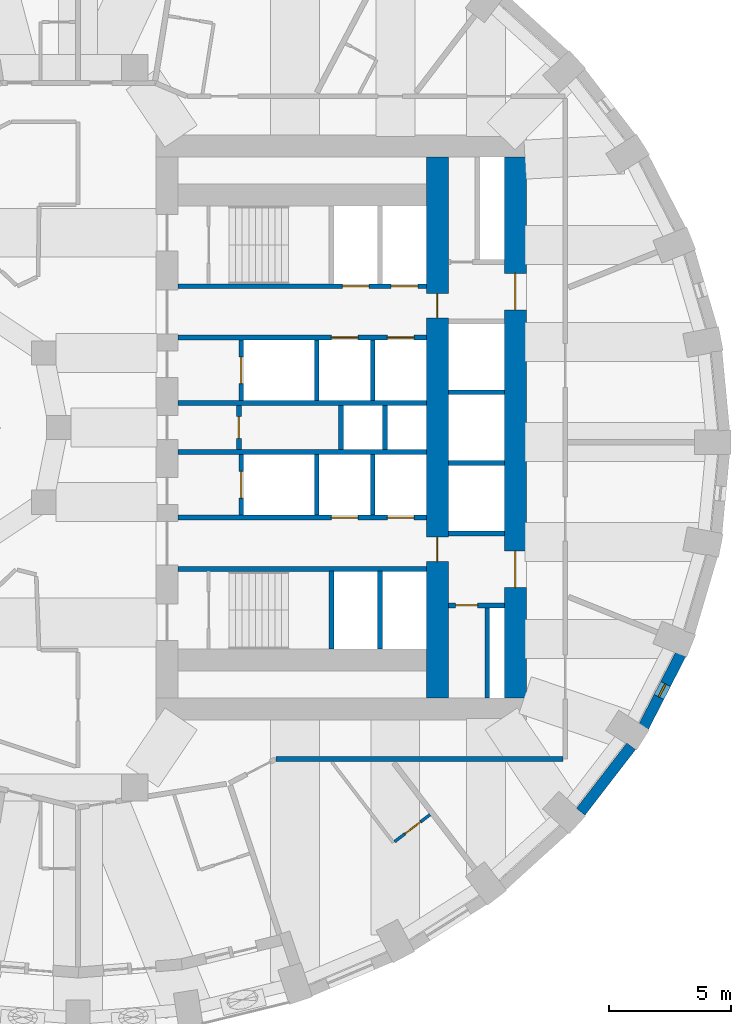
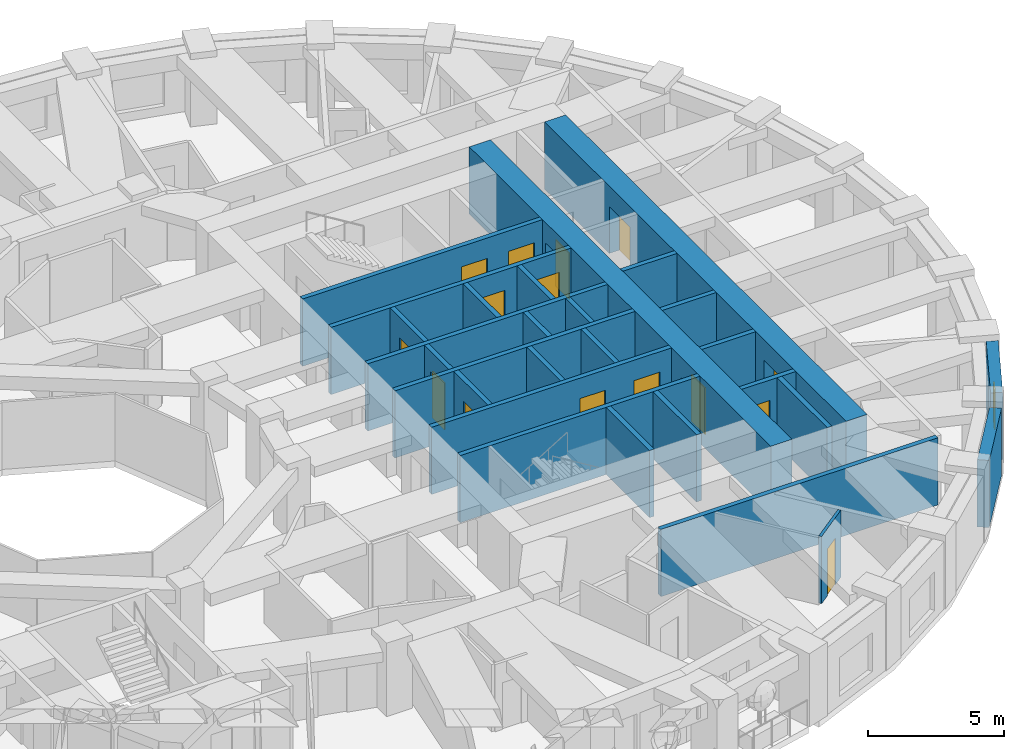
# One storey, part 6 of 13: 28 walls, 15 doors, 1 window, 16 openings.
"""IFC4 building model written with IfcOpenShell, lengths in metres."""

from ifc_helpers import new_model, si_unit, direction, frame, frame_2d, origin, place, context, subcontext, project, spatial, rectangle, extrude, material, layer, layer_set, type_object, element, fill, save


model = new_model("IFC4")

# Units and contexts
model_context = context("Model", 3, precision=1e-05, world=origin(), true_north=direction((0.0, 1.0)))
body_context = subcontext(model_context, "Body", "Model", "MODEL_VIEW")
ifc_project = project(units=[si_unit("LENGTHUNIT", "METRE"), si_unit("AREAUNIT", "SQUARE_METRE"), si_unit("VOLUMEUNIT", "CUBIC_METRE"), si_unit("PLANEANGLEUNIT", "RADIAN"), si_unit("MASSUNIT", "GRAM", prefix="KILO")], contexts=[model_context])

# Site, building, storey
site_placement = place(None, origin())
site = spatial("IfcSite", under=ifc_project, at=site_placement, CompositionType="ELEMENT")
building_placement = place(site_placement, origin())
building = spatial("IfcBuilding", under=site, at=building_placement, Name="Taillehof Tower", CompositionType="ELEMENT")
storey_placement = place(building_placement, frame((0.0, 0.0, 115.300048828125)))
storey = spatial("IfcBuildingStorey", under=building, at=storey_placement, Name="L32", CompositionType="ELEMENT", Elevation=115.300048828125)

# Wall
ifc_material_1 = material(Name="Brick masonry", Category="masonry")
ifc_layer_1 = layer(ifc_material_1, 0.449951171875)
ifc_layer_set_1 = layer_set([ifc_layer_1], Name="Brick infill wall 450")
wall_type_1 = type_object("IfcWallType", Name="Brick infill wall 450", PredefinedType="SOLIDWALL", material=ifc_layer_set_1)
wall_1_placement = place(storey_placement, frame((21.43505859375, -15.775390625, 0.0), z_axis=(0.0, 0.0, 1.0), x_axis=(0.610693945156, 0.791866721961, 0.0)))
element("IfcWall", 1, at=wall_1_placement, inside=storey, type_object=wall_type_1, Name="Brick wall L32 bay 33", PredefinedType="SOLIDWALL", context=body_context, shape_type="SweptSolid", body=[
    extrude(rectangle(XDim=3.39453125, YDim=0.449951171875, at=frame_2d((1.697265625, 0.0))), origin(), (0.0, 0.0, 1.0), 3.02001953125),
])

# Wall, opening, window
wall_2_placement = place(storey_placement, frame((24.022705078125, -12.27685546875, 0.0), z_axis=(0.0, 0.0, 1.0), x_axis=(0.456828186229, 0.889554949549, 0.0)))
wall_2 = element("IfcWall", 2, at=wall_2_placement, inside=storey, type_object=wall_type_1, Name="Brick wall L32 bay 34", PredefinedType="SOLIDWALL", context=body_context, shape_type="SweptSolid", body=[
    extrude(rectangle(XDim=3.332763671875, YDim=0.449951171875, at=frame_2d((1.66650390625, 0.0))), origin(), (0.0, 0.0, 1.0), 3.02001953125),
])
opening_1_placement = place(wall_2_placement, frame((1.366455078125, 0.0, 0.39990234375)))
opening_1 = element("IfcOpeningElement", 3, at=opening_1_placement, cuts=wall_2, Name="Opening W6", PredefinedType="OPENING", context=body_context, shape_type="SweptSolid", body=[
    extrude(rectangle(XDim=0.60009765625, YDim=1.75, at=frame_2d((0.300048828125, 0.875))), frame((0.0, 0.23486328125, 0.0), z_axis=(0.0, -1.0, 0.0), x_axis=(1.0, 0.0, 0.0)), (0.0, 0.0, 1.0), 0.469970703125),
])
ifc_material_2 = material(Name="Aluminium window frame with clear double glazing", Category="aluminium")
window_type = type_object("IfcWindowType", Name="Slot window 600x1750", PartitioningType="SINGLE_PANEL", PredefinedType="WINDOW", material=ifc_material_2)
window_placement = place(opening_1_placement, origin())
window = element("IfcWindow", 4, at=window_placement, inside=storey, type_object=window_type, Name="W6", OverallHeight=1.75, OverallWidth=0.60009765625, PartitioningType="SINGLE_PANEL", PredefinedType="WINDOW", context=body_context, shape_type="SweptSolid", body=[
    extrude(rectangle(XDim=0.60009765625, YDim=1.75, at=frame_2d((0.300048828125, 0.875))), frame((0.0, 0.034912109375, 0.0), z_axis=(0.0, -1.0, 0.0), x_axis=(1.0, 0.0, 0.0)), (0.0, 0.0, 1.0), 0.06005859375),
])
fill(opening_1, window)

# Wall, opening, door
ifc_material_3 = material(Name="Calcium silicate masonry", Category="masonry")
ifc_layer_2 = layer(ifc_material_3, 0.199951171875)
ifc_layer_set_2 = layer_set([ifc_layer_2], Name="Compartment wall calcium silicate 200")
wall_type_2 = type_object("IfcWallType", Name="Compartment wall calcium silicate 200", PredefinedType="PARTITIONING", material=ifc_layer_set_2)
wall_3_placement = place(storey_placement, frame((7.39990234375, -0.89990234375, 0.0), z_axis=(0.0, 0.0, 1.0), x_axis=(0.0, 1.0, 0.0)))
wall_3 = element("IfcWall", 5, at=wall_3_placement, inside=storey, type_object=wall_type_2, Name="Compartment wall FW", PredefinedType="PARTITIONING", context=body_context, shape_type="SweptSolid", body=[
    extrude(rectangle(XDim=1.7998046875, YDim=0.199951171875, at=frame_2d((0.89990234375, 0.0))), origin(), (0.0, 0.0, 1.0), 3.02001953125),
])
opening_2_placement = place(wall_3_placement, frame((0.449951171875, 0.0, 0.0)))
opening_2 = element("IfcOpeningElement", 6, at=opening_2_placement, cuts=wall_3, Name="Opening D3214", PredefinedType="OPENING", context=body_context, shape_type="SweptSolid", body=[
    extrude(rectangle(XDim=0.89990234375, YDim=2.10009765625, at=frame_2d((0.449951171875, 1.050048828125))), frame((0.0, 0.10986328125, 0.0), z_axis=(0.0, -1.0, 0.0), x_axis=(1.0, 0.0, 0.0)), (0.0, 0.0, 1.0), 0.219970703125),
])
ifc_material_4 = material(Name="Steel-faced fire door", Category="steel")
door_type_1 = type_object("IfcDoorType", Name="Riser and service room door 900x2100", OperationType="SINGLE_SWING_LEFT", PredefinedType="DOOR", material=ifc_material_4)
door_1_placement = place(opening_2_placement, origin())
door_1 = element("IfcDoor", 7, at=door_1_placement, inside=storey, type_object=door_type_1, Name="Door Ice And Pantry Room", OperationType="SINGLE_SWING_RIGHT", OverallHeight=2.10009765625, OverallWidth=0.89990234375, PredefinedType="DOOR", context=body_context, shape_type="SweptSolid", body=[
    extrude(rectangle(XDim=0.89990234375, YDim=2.10009765625, at=frame_2d((0.449951171875, 1.050048828125))), frame((0.0, 0.02490234375, 0.0), z_axis=(0.0, -1.0, 0.0), x_axis=(1.0, 0.0, 0.0)), (0.0, 0.0, 1.0), 0.050048828125),
])
fill(opening_2, door_1)

# Walls
for number, where, z_axis, x_axis, name in (
    (8, (11.60009765625, -0.89990234375, 0.0), (0.0, 0.0, 1.0), (0.0, 1.0, 0.0), "Compartment wall FW"),
    (9, (13.39990234375, -0.89990234375, 0.0), (0.0, 0.0, 1.0), (0.0, 1.0, 0.0), "Compartment wall FW"),
):
    element("IfcWall", number, at=place(storey_placement, frame(where, z_axis=z_axis, x_axis=x_axis)), inside=storey, type_object=wall_type_2, Name=name, PredefinedType="PARTITIONING", context=body_context, shape_type="SweptSolid", body=[
        extrude(rectangle(XDim=1.7998046875, YDim=0.199951171875, at=frame_2d((0.89990234375, 0.0))), origin(), (0.0, 0.0, 1.0), 3.02001953125),
    ])

# Wall, opening, door
wall_4_placement = place(storey_placement, frame((16.0, -7.300048828125, 0.0), z_axis=(0.0, 0.0, 1.0), x_axis=(1.0, 0.0, 0.0)))
wall_4 = element("IfcWall", 10, at=wall_4_placement, inside=storey, type_object=wall_type_2, Name="Compartment wall FW", PredefinedType="PARTITIONING", context=body_context, shape_type="SweptSolid", body=[
    extrude(rectangle(XDim=2.300048828125, YDim=0.199951171875, at=frame_2d((1.14990234375, 0.0))), origin(), (0.0, 0.0, 1.0), 3.02001953125),
])
opening_3_placement = place(wall_4_placement, frame((0.300048828125, 0.0, 0.0)))
opening_3 = element("IfcOpeningElement", 11, at=opening_3_placement, cuts=wall_4, Name="Opening D3218", PredefinedType="OPENING", context=body_context, shape_type="SweptSolid", body=[
    extrude(rectangle(XDim=0.89990234375, YDim=2.10009765625, at=frame_2d((0.449951171875, 1.050048828125))), frame((0.0, 0.10986328125, 0.0), z_axis=(0.0, -1.0, 0.0), x_axis=(1.0, 0.0, 0.0)), (0.0, 0.0, 1.0), 0.219970703125),
])
door_2_placement = place(opening_3_placement, origin())
door_2 = element("IfcDoor", 12, at=door_2_placement, inside=storey, type_object=door_type_1, Name="Door Waste Room", OperationType="SINGLE_SWING_LEFT", OverallHeight=2.10009765625, OverallWidth=0.89990234375, PredefinedType="DOOR", context=body_context, shape_type="SweptSolid", body=[
    extrude(rectangle(XDim=0.89990234375, YDim=2.10009765625, at=frame_2d((0.449951171875, 1.050048828125))), frame((0.0, 0.02490234375, 0.0), z_axis=(0.0, -1.0, 0.0), x_axis=(1.0, 0.0, 0.0)), (0.0, 0.0, 1.0), 0.050048828125),
])
fill(opening_3, door_2)

# Walls
wall_5_placement = place(storey_placement, frame((17.60009765625, -11.10009765625, 0.0), z_axis=(0.0, 0.0, 1.0), x_axis=(0.0, 1.0, 0.0)))
element("IfcWall", 13, at=wall_5_placement, inside=storey, type_object=wall_type_2, Name="Compartment wall FW", PredefinedType="PARTITIONING", context=body_context, shape_type="SweptSolid", body=[
    extrude(rectangle(XDim=3.7001953125, YDim=0.199951171875, at=frame_2d((1.85009765625, 0.0))), origin(), (0.0, 0.0, 1.0), 3.02001953125),
])
ifc_material_5 = material(Name="Gypsum board on steel studs, two layers each side", Category="steel")
ifc_layer_3 = layer(ifc_material_5, 0.199951171875)
ifc_layer_set_3 = layer_set([ifc_layer_3], Name="Compartment wall corridor 200")
wall_type_3 = type_object("IfcWallType", Name="Compartment wall corridor 200", PredefinedType="PARTITIONING", material=ifc_layer_set_3)
wall_6_placement = place(storey_placement, frame((20.699951171875, -13.60009765625, 0.0), z_axis=(0.0, 0.0, 1.0), x_axis=(-1.0, 0.0, 0.0)))
element("IfcWall", 14, at=wall_6_placement, inside=storey, type_object=wall_type_3, Name="Compartment wall", PredefinedType="PARTITIONING", context=body_context, shape_type="SweptSolid", body=[
    extrude(rectangle(XDim=11.77197265625, YDim=0.199951171875, at=frame_2d((5.885986328125, 0.0))), origin(), (0.0, 0.0, 1.0), 3.02001953125),
])

# Wall, openings, doors
ifc_material_6 = material(Name="Concrete C80/95", Category="concrete")
ifc_layer_4 = layer(ifc_material_6, 0.89990234375)
ifc_layer_set_4 = layer_set([ifc_layer_4], Name="Core wall C80/95 900")
wall_type_4 = type_object("IfcWallType", Name="Core wall C80/95 900", PredefinedType="SHEAR", material=ifc_layer_set_4)
wall_7_placement = place(storey_placement, frame((18.75, -11.10009765625, 0.0), z_axis=(0.0, 0.0, 1.0), x_axis=(0.0, 1.0, 0.0)))
wall_7 = element("IfcWall", 15, at=wall_7_placement, inside=storey, type_object=wall_type_4, Name="Core wall CW02", PredefinedType="SHEAR", context=body_context, shape_type="SweptSolid", body=[
    extrude(rectangle(XDim=22.2001953125, YDim=0.89990234375, at=frame_2d((11.10009765625, 0.0))), origin(), (0.0, 0.0, 1.0), 3.02001953125),
])
opening_4_placement = place(wall_7_placement, frame((15.925048828125, 0.0, 0.0)))
opening_4 = element("IfcOpeningElement", 16, at=opening_4_placement, cuts=wall_7, Name="Opening D3208", PredefinedType="OPENING", context=body_context, shape_type="SweptSolid", body=[
    extrude(rectangle(XDim=1.5, YDim=2.10009765625, at=frame_2d((0.75, 1.050048828125))), frame((0.0, 0.4599609375, 0.0), z_axis=(0.0, -1.0, 0.0), x_axis=(1.0, 0.0, 0.0)), (0.0, 0.0, 1.0), 0.919921875),
])
opening_5_placement = place(wall_7_placement, frame((4.52490234375, 0.0, 0.0)))
opening_5 = element("IfcOpeningElement", 17, at=opening_5_placement, cuts=wall_7, Name="Opening D3209", PredefinedType="OPENING", context=body_context, shape_type="SweptSolid", body=[
    extrude(rectangle(XDim=1.5, YDim=2.10009765625, at=frame_2d((0.75, 1.050048828125))), frame((0.0, 0.4599609375, 0.0), z_axis=(0.0, -1.0, 0.0), x_axis=(1.0, 0.0, 0.0)), (0.0, 0.0, 1.0), 0.919921875),
])
ifc_material_7 = material(Name="Steel-faced fire door", Category="steel")
door_type_2 = type_object("IfcDoorType", Name="Lift lobby east door 1500x2100", OperationType="DOUBLE_DOOR_SINGLE_SWING", PredefinedType="DOOR", material=ifc_material_7)
door_3_placement = place(opening_4_placement, origin())
door_3 = element("IfcDoor", 18, at=door_3_placement, inside=storey, type_object=door_type_2, Name="Lift lobby east door north", OperationType="DOUBLE_DOOR_SINGLE_SWING", OverallHeight=2.10009765625, OverallWidth=1.5, PredefinedType="DOOR", context=body_context, shape_type="SweptSolid", body=[
    extrude(rectangle(XDim=1.5, YDim=2.10009765625, at=frame_2d((0.75, 1.050048828125))), frame((0.0, 0.02490234375, 0.0), z_axis=(0.0, -1.0, 0.0), x_axis=(1.0, 0.0, 0.0)), (0.0, 0.0, 1.0), 0.050048828125),
])
fill(opening_4, door_3)
door_4_placement = place(opening_5_placement, origin())
door_4 = element("IfcDoor", 19, at=door_4_placement, inside=storey, type_object=door_type_2, Name="Lift lobby east door south", OperationType="DOUBLE_DOOR_SINGLE_SWING", OverallHeight=2.10009765625, OverallWidth=1.5, PredefinedType="DOOR", context=body_context, shape_type="SweptSolid", body=[
    extrude(rectangle(XDim=1.5, YDim=2.10009765625, at=frame_2d((0.75, 1.050048828125))), frame((0.0, 0.02490234375, 0.0), z_axis=(0.0, -1.0, 0.0), x_axis=(1.0, 0.0, 0.0)), (0.0, 0.0, 1.0), 0.050048828125),
])
fill(opening_5, door_4)

wall_8_placement = place(storey_placement, frame((15.550048828125, -11.10009765625, 0.0), z_axis=(0.0, 0.0, 1.0), x_axis=(0.0, 1.0, 0.0)))
wall_8 = element("IfcWall", 20, at=wall_8_placement, inside=storey, type_object=wall_type_4, Name="Core wall CW05", PredefinedType="SHEAR", context=body_context, shape_type="SweptSolid", body=[
    extrude(rectangle(XDim=22.2001953125, YDim=0.89990234375, at=frame_2d((11.10009765625, 0.0))), origin(), (0.0, 0.0, 1.0), 3.02001953125),
])
opening_6_placement = place(wall_8_placement, frame((15.60009765625, 0.0, 0.0)))
opening_6 = element("IfcOpeningElement", 21, at=opening_6_placement, cuts=wall_8, Name="Opening D3215", PredefinedType="OPENING", context=body_context, shape_type="SweptSolid", body=[
    extrude(rectangle(XDim=1.0, YDim=2.10009765625, at=frame_2d((0.5, 1.050048828125))), frame((0.0, 0.4599609375, 0.0), z_axis=(0.0, -1.0, 0.0), x_axis=(1.0, 0.0, 0.0)), (0.0, 0.0, 1.0), 0.919921875),
])
opening_7_placement = place(wall_8_placement, frame((5.60009765625, 0.0, 0.0)))
opening_7 = element("IfcOpeningElement", 22, at=opening_7_placement, cuts=wall_8, Name="Opening D3217", PredefinedType="OPENING", context=body_context, shape_type="SweptSolid", body=[
    extrude(rectangle(XDim=1.0, YDim=2.10009765625, at=frame_2d((0.5, 1.050048828125))), frame((0.0, 0.4599609375, 0.0), z_axis=(0.0, -1.0, 0.0), x_axis=(1.0, 0.0, 0.0)), (0.0, 0.0, 1.0), 0.919921875),
])
ifc_material_8 = material(Name="Steel-faced fire door", Category="steel")
door_type_3 = type_object("IfcDoorType", Name="Service door 1000x2100", OperationType="SINGLE_SWING_RIGHT", PredefinedType="DOOR", material=ifc_material_8)
door_5_placement = place(opening_6_placement, origin())
door_5 = element("IfcDoor", 23, at=door_5_placement, inside=storey, type_object=door_type_3, Name="Service door strip", OperationType="SINGLE_SWING_RIGHT", OverallHeight=2.10009765625, OverallWidth=1.0, PredefinedType="DOOR", context=body_context, shape_type="SweptSolid", body=[
    extrude(rectangle(XDim=1.0, YDim=2.10009765625, at=frame_2d((0.5, 1.050048828125))), frame((0.0, 0.02490234375, 0.0), z_axis=(0.0, -1.0, 0.0), x_axis=(1.0, 0.0, 0.0)), (0.0, 0.0, 1.0), 0.050048828125),
])
fill(opening_6, door_5)
door_6_placement = place(opening_7_placement, origin())
door_6 = element("IfcDoor", 24, at=door_6_placement, inside=storey, type_object=door_type_3, Name="Service door strip", OperationType="SINGLE_SWING_LEFT", OverallHeight=2.10009765625, OverallWidth=1.0, PredefinedType="DOOR", context=body_context, shape_type="SweptSolid", body=[
    extrude(rectangle(XDim=1.0, YDim=2.10009765625, at=frame_2d((0.5, 1.050048828125))), frame((0.0, 0.02490234375, 0.0), z_axis=(0.0, -1.0, 0.0), x_axis=(1.0, 0.0, 0.0)), (0.0, 0.0, 1.0), 0.050048828125),
])
fill(opening_7, door_6)

# Wall, opening, door
ifc_material_9 = material(Name="Gypsum board on steel studs, moisture resistant", Category="steel")
ifc_layer_5 = layer(ifc_material_9, 0.1201171875)
ifc_layer_set_5 = layer_set([ifc_layer_5], Name="En-suite wall 120")
wall_type_5 = type_object("IfcWallType", Name="En-suite wall 120", PredefinedType="PARTITIONING", material=ifc_layer_set_5)
wall_9_placement = place(storey_placement, frame((13.793701171875, -17.00244140625, 0.0), z_axis=(0.0, 0.0, 1.0), x_axis=(0.794653128783, 0.607063756878, 0.0)))
wall_9 = element("IfcWall", 25, at=wall_9_placement, inside=storey, type_object=wall_type_5, Name="En-suite wall", PredefinedType="PARTITIONING", context=body_context, shape_type="SweptSolid", body=[
    extrude(rectangle(XDim=1.829833984375, YDim=0.1201171875, at=frame_2d((0.9150390625, 0.0))), origin(), (0.0, 0.0, 1.0), 3.02001953125),
])
opening_8_placement = place(wall_9_placement, frame((0.539794921875, 0.0, 0.0)))
opening_8 = element("IfcOpeningElement", 26, at=opening_8_placement, cuts=wall_9, Name="Opening D3263", PredefinedType="OPENING", context=body_context, shape_type="SweptSolid", body=[
    extrude(rectangle(XDim=0.800048828125, YDim=2.10009765625, at=frame_2d((0.39990234375, 1.050048828125))), frame((0.0, 0.070068359375, 0.0), z_axis=(0.0, -1.0, 0.0), x_axis=(1.0, 0.0, 0.0)), (0.0, 0.0, 1.0), 0.14013671875),
])
ifc_material_10 = material(Name="Timber door leaf in steel frame", Category="steel")
door_type_4 = type_object("IfcDoorType", Name="En-suite door 800 x 2100", OperationType="SINGLE_SWING_LEFT", PredefinedType="DOOR", material=ifc_material_10)
door_7_placement = place(opening_8_placement, origin())
door_7 = element("IfcDoor", 27, at=door_7_placement, inside=storey, type_object=door_type_4, Name="D3263", OperationType="SINGLE_SWING_LEFT", OverallHeight=2.10009765625, OverallWidth=0.800048828125, PredefinedType="DOOR", context=body_context, shape_type="SweptSolid", body=[
    extrude(rectangle(XDim=0.800048828125, YDim=2.10009765625, at=frame_2d((0.39990234375, 1.050048828125))), frame((0.0, 0.02490234375, 0.0), z_axis=(0.0, -1.0, 0.0), x_axis=(1.0, 0.0, 0.0)), (0.0, 0.0, 1.0), 0.050048828125),
])
fill(opening_8, door_7)

# Wall, openings, doors
ifc_material_11 = material(Name="Concrete C50/60", Category="concrete")
ifc_layer_6 = layer(ifc_material_11, 0.199951171875)
ifc_layer_set_6 = layer_set([ifc_layer_6], Name="Shaft wall C50/60 200")
wall_type_6 = type_object("IfcWallType", Name="Shaft wall C50/60 200", PredefinedType="SHEAR", material=ifc_layer_set_6)
wall_10_placement = place(storey_placement, frame((4.89990234375, 5.800048828125, 0.0), z_axis=(0.0, 0.0, 1.0), x_axis=(1.0, 0.0, 0.0)))
wall_10 = element("IfcWall", 28, at=wall_10_placement, inside=storey, type_object=wall_type_6, Name="Shaft wall SW", PredefinedType="SHEAR", context=body_context, shape_type="SweptSolid", body=[
    extrude(rectangle(XDim=10.2001953125, YDim=0.199951171875, at=frame_2d((5.10009765625, 0.0))), origin(), (0.0, 0.0, 1.0), 3.02001953125),
])
opening_9_placement = place(wall_10_placement, frame((6.75, 0.0, 0.0)))
opening_9 = element("IfcOpeningElement", 29, at=opening_9_placement, cuts=wall_10, Name="Opening LD1", PredefinedType="OPENING", context=body_context, shape_type="SweptSolid", body=[
    extrude(rectangle(XDim=1.10009765625, YDim=2.10009765625, at=frame_2d((0.550048828125, 1.050048828125))), frame((0.0, 0.10986328125, 0.0), z_axis=(0.0, -1.0, 0.0), x_axis=(1.0, 0.0, 0.0)), (0.0, 0.0, 1.0), 0.219970703125),
])
opening_10_placement = place(wall_10_placement, frame((8.75, 0.0, 0.0)))
opening_10 = element("IfcOpeningElement", 30, at=opening_10_placement, cuts=wall_10, Name="Opening LD1", PredefinedType="OPENING", context=body_context, shape_type="SweptSolid", body=[
    extrude(rectangle(XDim=1.10009765625, YDim=2.10009765625, at=frame_2d((0.550048828125, 1.050048828125))), frame((0.0, 0.10986328125, 0.0), z_axis=(0.0, -1.0, 0.0), x_axis=(1.0, 0.0, 0.0)), (0.0, 0.0, 1.0), 0.219970703125),
])
ifc_material_12 = material(Name="Stainless steel", Category="steel")
door_type_5 = type_object("IfcDoorType", Name="Lift landing door LD1 1100x2100", OperationType="DOUBLE_DOOR_SLIDING", PredefinedType="DOOR", material=ifc_material_12)
door_8_placement = place(opening_9_placement, origin())
door_8 = element("IfcDoor", 31, at=door_8_placement, inside=storey, type_object=door_type_5, Name="Landing door LR1", OperationType="DOUBLE_DOOR_SLIDING", OverallHeight=2.10009765625, OverallWidth=1.10009765625, PredefinedType="DOOR", context=body_context, shape_type="SweptSolid", body=[
    extrude(rectangle(XDim=1.10009765625, YDim=2.10009765625, at=frame_2d((0.550048828125, 1.050048828125))), frame((0.0, 0.02490234375, 0.0), z_axis=(0.0, -1.0, 0.0), x_axis=(1.0, 0.0, 0.0)), (0.0, 0.0, 1.0), 0.050048828125),
])
fill(opening_9, door_8)
door_9_placement = place(opening_10_placement, origin())
door_9 = element("IfcDoor", 32, at=door_9_placement, inside=storey, type_object=door_type_5, Name="Landing door LR2", OperationType="DOUBLE_DOOR_SLIDING", OverallHeight=2.10009765625, OverallWidth=1.10009765625, PredefinedType="DOOR", context=body_context, shape_type="SweptSolid", body=[
    extrude(rectangle(XDim=1.10009765625, YDim=2.10009765625, at=frame_2d((0.550048828125, 1.050048828125))), frame((0.0, 0.02490234375, 0.0), z_axis=(0.0, -1.0, 0.0), x_axis=(1.0, 0.0, 0.0)), (0.0, 0.0, 1.0), 0.050048828125),
])
fill(opening_10, door_9)

wall_11_placement = place(storey_placement, frame((4.89990234375, 3.699951171875, 0.0), z_axis=(0.0, 0.0, 1.0), x_axis=(1.0, 0.0, 0.0)))
wall_11 = element("IfcWall", 33, at=wall_11_placement, inside=storey, type_object=wall_type_6, Name="Shaft wall SW", PredefinedType="SHEAR", context=body_context, shape_type="SweptSolid", body=[
    extrude(rectangle(XDim=10.2001953125, YDim=0.199951171875, at=frame_2d((5.10009765625, 0.0))), origin(), (0.0, 0.0, 1.0), 3.02001953125),
])
opening_11_placement = place(wall_11_placement, frame((6.300048828125, 0.0, 0.0)))
opening_11 = element("IfcOpeningElement", 34, at=opening_11_placement, cuts=wall_11, Name="Opening LD1", PredefinedType="OPENING", context=body_context, shape_type="SweptSolid", body=[
    extrude(rectangle(XDim=1.10009765625, YDim=2.10009765625, at=frame_2d((0.550048828125, 1.050048828125))), frame((0.0, 0.10986328125, 0.0), z_axis=(0.0, -1.0, 0.0), x_axis=(1.0, 0.0, 0.0)), (0.0, 0.0, 1.0), 0.219970703125),
])
opening_12_placement = place(wall_11_placement, frame((8.60009765625, 0.0, 0.0)))
opening_12 = element("IfcOpeningElement", 35, at=opening_12_placement, cuts=wall_11, Name="Opening LD1", PredefinedType="OPENING", context=body_context, shape_type="SweptSolid", body=[
    extrude(rectangle(XDim=1.10009765625, YDim=2.10009765625, at=frame_2d((0.550048828125, 1.050048828125))), frame((0.0, 0.10986328125, 0.0), z_axis=(0.0, -1.0, 0.0), x_axis=(1.0, 0.0, 0.0)), (0.0, 0.0, 1.0), 0.219970703125),
])
door_10_placement = place(opening_11_placement, origin())
door_10 = element("IfcDoor", 36, at=door_10_placement, inside=storey, type_object=door_type_5, Name="Landing door LR3", OperationType="DOUBLE_DOOR_SLIDING", OverallHeight=2.10009765625, OverallWidth=1.10009765625, PredefinedType="DOOR", context=body_context, shape_type="SweptSolid", body=[
    extrude(rectangle(XDim=1.10009765625, YDim=2.10009765625, at=frame_2d((0.550048828125, 1.050048828125))), frame((0.0, 0.02490234375, 0.0), z_axis=(0.0, -1.0, 0.0), x_axis=(1.0, 0.0, 0.0)), (0.0, 0.0, 1.0), 0.050048828125),
])
fill(opening_11, door_10)
door_11_placement = place(opening_12_placement, origin())
door_11 = element("IfcDoor", 37, at=door_11_placement, inside=storey, type_object=door_type_5, Name="Landing door LR4", OperationType="DOUBLE_DOOR_SLIDING", OverallHeight=2.10009765625, OverallWidth=1.10009765625, PredefinedType="DOOR", context=body_context, shape_type="SweptSolid", body=[
    extrude(rectangle(XDim=1.10009765625, YDim=2.10009765625, at=frame_2d((0.550048828125, 1.050048828125))), frame((0.0, 0.02490234375, 0.0), z_axis=(0.0, -1.0, 0.0), x_axis=(1.0, 0.0, 0.0)), (0.0, 0.0, 1.0), 0.050048828125),
])
fill(opening_12, door_11)

# Walls
for number, where, z_axis, x_axis, name in (
    (38, (4.89990234375, 1.0, 0.0), (0.0, 0.0, 1.0), (1.0, 0.0, 0.0), "Shaft wall SW"),
    (39, (4.89990234375, -1.0, 0.0), (0.0, 0.0, 1.0), (1.0, 0.0, 0.0), "Shaft wall SW"),
):
    element("IfcWall", number, at=place(storey_placement, frame(where, z_axis=z_axis, x_axis=x_axis)), inside=storey, type_object=wall_type_6, Name=name, PredefinedType="SHEAR", context=body_context, shape_type="SweptSolid", body=[
        extrude(rectangle(XDim=10.2001953125, YDim=0.199951171875, at=frame_2d((5.10009765625, 0.0))), origin(), (0.0, 0.0, 1.0), 3.02001953125),
    ])

# Wall, openings, doors
wall_12_placement = place(storey_placement, frame((4.89990234375, -3.699951171875, 0.0), z_axis=(0.0, 0.0, 1.0), x_axis=(1.0, 0.0, 0.0)))
wall_12 = element("IfcWall", 40, at=wall_12_placement, inside=storey, type_object=wall_type_6, Name="Shaft wall SW", PredefinedType="SHEAR", context=body_context, shape_type="SweptSolid", body=[
    extrude(rectangle(XDim=10.2001953125, YDim=0.199951171875, at=frame_2d((5.10009765625, 0.0))), origin(), (0.0, 0.0, 1.0), 3.02001953125),
])
opening_13_placement = place(wall_12_placement, frame((6.300048828125, 0.0, 0.0)))
opening_13 = element("IfcOpeningElement", 41, at=opening_13_placement, cuts=wall_12, Name="Opening LD1", PredefinedType="OPENING", context=body_context, shape_type="SweptSolid", body=[
    extrude(rectangle(XDim=1.10009765625, YDim=2.10009765625, at=frame_2d((0.550048828125, 1.050048828125))), frame((0.0, 0.10986328125, 0.0), z_axis=(0.0, -1.0, 0.0), x_axis=(1.0, 0.0, 0.0)), (0.0, 0.0, 1.0), 0.219970703125),
])
opening_14_placement = place(wall_12_placement, frame((8.60009765625, 0.0, 0.0)))
opening_14 = element("IfcOpeningElement", 42, at=opening_14_placement, cuts=wall_12, Name="Opening LD1", PredefinedType="OPENING", context=body_context, shape_type="SweptSolid", body=[
    extrude(rectangle(XDim=1.10009765625, YDim=2.10009765625, at=frame_2d((0.550048828125, 1.050048828125))), frame((0.0, 0.10986328125, 0.0), z_axis=(0.0, -1.0, 0.0), x_axis=(1.0, 0.0, 0.0)), (0.0, 0.0, 1.0), 0.219970703125),
])
door_12_placement = place(opening_13_placement, origin())
door_12 = element("IfcDoor", 43, at=door_12_placement, inside=storey, type_object=door_type_5, Name="Landing door LR5", OperationType="DOUBLE_DOOR_SLIDING", OverallHeight=2.10009765625, OverallWidth=1.10009765625, PredefinedType="DOOR", context=body_context, shape_type="SweptSolid", body=[
    extrude(rectangle(XDim=1.10009765625, YDim=2.10009765625, at=frame_2d((0.550048828125, 1.050048828125))), frame((0.0, 0.02490234375, 0.0), z_axis=(0.0, -1.0, 0.0), x_axis=(1.0, 0.0, 0.0)), (0.0, 0.0, 1.0), 0.050048828125),
])
fill(opening_13, door_12)
door_13_placement = place(opening_14_placement, origin())
door_13 = element("IfcDoor", 44, at=door_13_placement, inside=storey, type_object=door_type_5, Name="Landing door LR6", OperationType="DOUBLE_DOOR_SLIDING", OverallHeight=2.10009765625, OverallWidth=1.10009765625, PredefinedType="DOOR", context=body_context, shape_type="SweptSolid", body=[
    extrude(rectangle(XDim=1.10009765625, YDim=2.10009765625, at=frame_2d((0.550048828125, 1.050048828125))), frame((0.0, 0.02490234375, 0.0), z_axis=(0.0, -1.0, 0.0), x_axis=(1.0, 0.0, 0.0)), (0.0, 0.0, 1.0), 0.050048828125),
])
fill(opening_14, door_13)

# Walls
wall_13_placement = place(storey_placement, frame((4.89990234375, -5.800048828125, 0.0), z_axis=(0.0, 0.0, 1.0), x_axis=(1.0, 0.0, 0.0)))
element("IfcWall", 45, at=wall_13_placement, inside=storey, type_object=wall_type_6, Name="Shaft wall SW", PredefinedType="SHEAR", context=body_context, shape_type="SweptSolid", body=[
    extrude(rectangle(XDim=10.2001953125, YDim=0.199951171875, at=frame_2d((5.10009765625, 0.0))), origin(), (0.0, 0.0, 1.0), 3.02001953125),
])
for number, where, z_axis, x_axis, name in (
    (46, (11.199951171875, -9.10009765625, 0.0), (0.0, 0.0, 1.0), (0.0, 1.0, 0.0), "Shaft wall SW"),
    (47, (13.199951171875, -9.10009765625, 0.0), (0.0, 0.0, 1.0), (0.0, 1.0, 0.0), "Shaft wall SW"),
):
    element("IfcWall", number, at=place(storey_placement, frame(where, z_axis=z_axis, x_axis=x_axis)), inside=storey, type_object=wall_type_6, Name=name, PredefinedType="SHEAR", context=body_context, shape_type="SweptSolid", body=[
        extrude(rectangle(XDim=3.2001953125, YDim=0.199951171875, at=frame_2d((1.60009765625, 0.0))), origin(), (0.0, 0.0, 1.0), 3.02001953125),
    ])

# Wall, opening, door
wall_14_placement = place(storey_placement, frame((7.5, 1.10009765625, 0.0), z_axis=(0.0, 0.0, 1.0), x_axis=(0.0, 1.0, 0.0)))
wall_14 = element("IfcWall", 48, at=wall_14_placement, inside=storey, type_object=wall_type_6, Name="Shaft wall SW", PredefinedType="SHEAR", context=body_context, shape_type="SweptSolid", body=[
    extrude(rectangle(XDim=2.5, YDim=0.199951171875, at=frame_2d((1.25, 0.0))), origin(), (0.0, 0.0, 1.0), 3.02001953125),
])
opening_15_placement = place(wall_14_placement, frame((0.699951171875, 0.0, 0.0)))
opening_15 = element("IfcOpeningElement", 49, at=opening_15_placement, cuts=wall_14, Name="Opening LD1", PredefinedType="OPENING", context=body_context, shape_type="SweptSolid", body=[
    extrude(rectangle(XDim=1.10009765625, YDim=2.10009765625, at=frame_2d((0.550048828125, 1.050048828125))), frame((0.0, 0.10986328125, 0.0), z_axis=(0.0, -1.0, 0.0), x_axis=(1.0, 0.0, 0.0)), (0.0, 0.0, 1.0), 0.219970703125),
])
door_14_placement = place(opening_15_placement, origin())
door_14 = element("IfcDoor", 50, at=door_14_placement, inside=storey, type_object=door_type_5, Name="Landing door FF1", OperationType="DOUBLE_DOOR_SLIDING", OverallHeight=2.10009765625, OverallWidth=1.10009765625, PredefinedType="DOOR", context=body_context, shape_type="SweptSolid", body=[
    extrude(rectangle(XDim=1.10009765625, YDim=2.10009765625, at=frame_2d((0.550048828125, 1.050048828125))), frame((0.0, 0.02490234375, 0.0), z_axis=(0.0, -1.0, 0.0), x_axis=(1.0, 0.0, 0.0)), (0.0, 0.0, 1.0), 0.050048828125),
])
fill(opening_15, door_14)

wall_15_placement = place(storey_placement, frame((7.5, -3.60009765625, 0.0), z_axis=(0.0, 0.0, 1.0), x_axis=(0.0, 1.0, 0.0)))
wall_15 = element("IfcWall", 51, at=wall_15_placement, inside=storey, type_object=wall_type_6, Name="Shaft wall SW", PredefinedType="SHEAR", context=body_context, shape_type="SweptSolid", body=[
    extrude(rectangle(XDim=2.5, YDim=0.199951171875, at=frame_2d((1.25, 0.0))), origin(), (0.0, 0.0, 1.0), 3.02001953125),
])
opening_16_placement = place(wall_15_placement, frame((0.699951171875, 0.0, 0.0)))
opening_16 = element("IfcOpeningElement", 52, at=opening_16_placement, cuts=wall_15, Name="Opening LD1", PredefinedType="OPENING", context=body_context, shape_type="SweptSolid", body=[
    extrude(rectangle(XDim=1.10009765625, YDim=2.10009765625, at=frame_2d((0.550048828125, 1.050048828125))), frame((0.0, 0.10986328125, 0.0), z_axis=(0.0, -1.0, 0.0), x_axis=(1.0, 0.0, 0.0)), (0.0, 0.0, 1.0), 0.219970703125),
])
door_15_placement = place(opening_16_placement, origin())
door_15 = element("IfcDoor", 53, at=door_15_placement, inside=storey, type_object=door_type_5, Name="Landing door FF2", OperationType="DOUBLE_DOOR_SLIDING", OverallHeight=2.10009765625, OverallWidth=1.10009765625, PredefinedType="DOOR", context=body_context, shape_type="SweptSolid", body=[
    extrude(rectangle(XDim=1.10009765625, YDim=2.10009765625, at=frame_2d((0.550048828125, 1.050048828125))), frame((0.0, 0.02490234375, 0.0), z_axis=(0.0, -1.0, 0.0), x_axis=(1.0, 0.0, 0.0)), (0.0, 0.0, 1.0), 0.050048828125),
])
fill(opening_16, door_15)

# Walls
for number, where, z_axis, x_axis, name in (
    (54, (10.60009765625, 1.10009765625, 0.0), (0.0, 0.0, 1.0), (0.0, 1.0, 0.0), "Shaft wall SW"),
    (55, (10.60009765625, -3.60009765625, 0.0), (0.0, 0.0, 1.0), (0.0, 1.0, 0.0), "Shaft wall SW"),
    (56, (12.89990234375, 1.10009765625, 0.0), (0.0, 0.0, 1.0), (0.0, 1.0, 0.0), "Shaft wall SW"),
    (57, (12.89990234375, -3.60009765625, 0.0), (0.0, 0.0, 1.0), (0.0, 1.0, 0.0), "Shaft wall SW"),
):
    element("IfcWall", number, at=place(storey_placement, frame(where, z_axis=z_axis, x_axis=x_axis)), inside=storey, type_object=wall_type_6, Name=name, PredefinedType="SHEAR", context=body_context, shape_type="SweptSolid", body=[
        extrude(rectangle(XDim=2.5, YDim=0.199951171875, at=frame_2d((1.25, 0.0))), origin(), (0.0, 0.0, 1.0), 3.02001953125),
    ])
for number, where, z_axis, x_axis, name in (
    (58, (16.0, -4.35009765625, 0.0), (0.0, 0.0, 1.0), (1.0, 0.0, 0.0), "Shaft wall SW"),
    (59, (16.0, -1.449951171875, 0.0), (0.0, 0.0, 1.0), (1.0, 0.0, 0.0), "Shaft wall SW"),
    (60, (16.0, 1.449951171875, 0.0), (0.0, 0.0, 1.0), (1.0, 0.0, 0.0), "Shaft wall SW"),
):
    element("IfcWall", number, at=place(storey_placement, frame(where, z_axis=z_axis, x_axis=x_axis)), inside=storey, type_object=wall_type_6, Name=name, PredefinedType="SHEAR", context=body_context, shape_type="SweptSolid", body=[
        extrude(rectangle(XDim=2.300048828125, YDim=0.199951171875, at=frame_2d((1.14990234375, 0.0))), origin(), (0.0, 0.0, 1.0), 3.02001953125),
    ])

save(model, "model.ifc")
